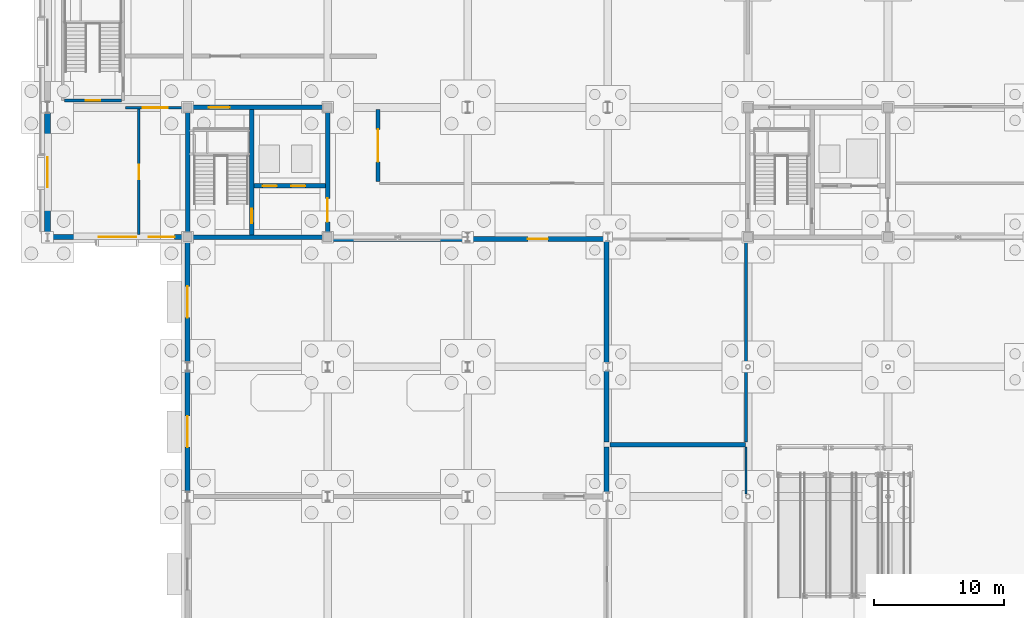
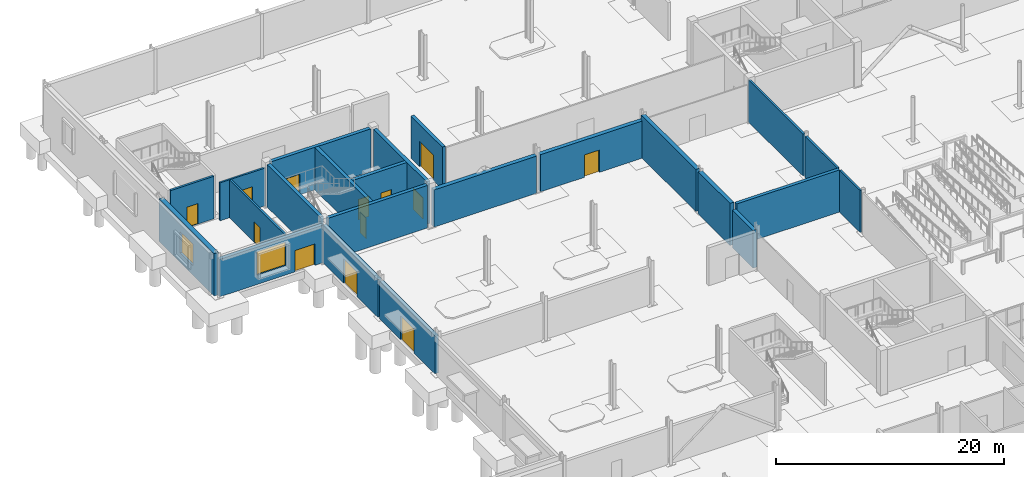
# One storey, part 55 of 73: 23 walls, 13 doors, 2 windows, 15 openings.
"""IFC4 building model written with IfcOpenShell, lengths in metres."""

import ifcopenshell
import ifcopenshell.guid

model = None  # the IFC model being written
_history = None  # IfcOwnerHistory: only IFC2X3 demands one
_inside = {}  # id of a spatial element -> (the spatial element, [elements in it])
_under = {}  # id of a project, library or spatial element -> (it, [spatial elements below it])
_declared = {}  # id of a project -> (the project, [libraries it declares])
_typed = {}  # id of a type object -> (the type object, [elements of that type])
_made_of = {}  # id of a material, layer set ... -> (it, [elements and type objects made of it])


def new_model(schema):
    """Start an empty IFC model of exactly this schema.

    Asked for "IFC4X3", IfcOpenShell would pick the latest addendum, in which some entities
    have other attributes; the version numbers below select the first issue.
    IFC2X3 requires an IfcOwnerHistory on every rooted entity: one is made here for all.
    """
    global model, _history
    if schema == "IFC4X3":
        model = ifcopenshell.file(schema_version=(4, 3, 0, 0))
    else:
        model = ifcopenshell.file(schema=schema)
    _inside.clear()
    _under.clear()
    _declared.clear()
    _typed.clear()
    _made_of.clear()
    _history = None
    if model.schema == "IFC2X3":
        org = make("IfcOrganization", Name="unknown")
        user = make(
            "IfcPersonAndOrganization",
            ThePerson=make("IfcPerson", FamilyName="unknown"),
            TheOrganization=org,
        )
        app = make(
            "IfcApplication",
            ApplicationDeveloper=org,
            Version="unknown",
            ApplicationFullName="unknown",
            ApplicationIdentifier="unknown",
        )
        _history = make(
            "IfcOwnerHistory",
            OwningUser=user,
            OwningApplication=app,
            ChangeAction="ADDED",
            CreationDate=0,
        )
    return model


def make(cls, **values):
    """One entity of the class cls with the attributes given. An attribute that is None is left unset."""
    return model.create_entity(
        cls, **{name: value for name, value in values.items() if value is not None}
    )


def rooted(cls, **values):
    """An entity with a GlobalId (a new one), such as an element, a storey or a relation."""
    return make(cls, GlobalId=ifcopenshell.guid.new(), OwnerHistory=_history, **values)


def si_unit(unit_type, name, prefix=None):
    """IfcSIUnit, for example si_unit("LENGTHUNIT", "METRE", prefix="MILLI")."""
    return make("IfcSIUnit", UnitType=unit_type, Prefix=prefix, Name=name)


def assignment(units):
    """IfcUnitAssignment: the units of a project."""
    return None if units is None else make("IfcUnitAssignment", Units=units)


def point(xyz):
    """IfcCartesianPoint."""
    return None if xyz is None else make("IfcCartesianPoint", Coordinates=xyz)


def direction(xyz):
    """IfcDirection."""
    return None if xyz is None else make("IfcDirection", DirectionRatios=xyz)


def frame(location, z_axis=None, x_axis=None):
    """IfcAxis2Placement3D, a coordinate frame: its origin and axes. An axis left out is left unset."""
    return make(
        "IfcAxis2Placement3D",
        Location=point(location),
        Axis=direction(z_axis),
        RefDirection=direction(x_axis),
    )


def frame_2d(location, x_axis=None):
    """IfcAxis2Placement2D, a coordinate frame in the plane: its origin and x axis."""
    return make(
        "IfcAxis2Placement2D", Location=point(location), RefDirection=direction(x_axis)
    )


def origin():
    """The frame at (0, 0, 0) with its axes left unset."""
    return frame((0.0, 0.0, 0.0))


def place(relative_to, where):
    """IfcLocalPlacement: puts the frame where relative to a parent placement (None: the world)."""
    return make(
        "IfcLocalPlacement", PlacementRelTo=relative_to, RelativePlacement=where
    )


def context(
    kind, dimensions, precision=None, world=None, true_north=None, identifier=None
):
    """IfcGeometricRepresentationContext, for example the 3D "Model" context."""
    return make(
        "IfcGeometricRepresentationContext",
        ContextIdentifier=identifier,
        ContextType=kind,
        CoordinateSpaceDimension=dimensions,
        Precision=precision,
        WorldCoordinateSystem=world,
        TrueNorth=true_north,
    )


def subcontext(parent, identifier, kind, view, scale=None):
    """IfcGeometricRepresentationSubContext, for example "Body" below "Model"."""
    return make(
        "IfcGeometricRepresentationSubContext",
        ContextIdentifier=identifier,
        ContextType=kind,
        ParentContext=parent,
        TargetScale=scale,
        TargetView=view,
    )


def project(units=None, contexts=None):
    """IfcProject with its units and contexts."""
    return rooted(
        "IfcProject",
        Name="project",
        RepresentationContexts=contexts,
        UnitsInContext=assignment(units),
    )


def spatial(cls, under=None, at=None, **own):
    """A site, building, storey or space (cls), placed at a placement, below another one or the project."""
    s = rooted(cls, ObjectPlacement=at, **own)
    if under is not None:
        _under.setdefault(under.id(), (under, []))[1].append(s)
    return s


def profile(cls, at=None, kind="AREA", **sizes):
    """A parametric profile (cls). Its sizes go by their IFC names, for example OverallWidth=200.0."""
    return make(cls, ProfileType=kind, Position=at, **sizes)


def rectangle(**sizes):
    """IfcRectangleProfileDef."""
    return profile("IfcRectangleProfileDef", **sizes)


def extrude(swept, where, along, depth):
    """IfcExtrudedAreaSolid: the profile swept, set in the frame where, extruded along a direction by depth."""
    return make(
        "IfcExtrudedAreaSolid",
        SweptArea=swept,
        Position=where,
        ExtrudedDirection=direction(along),
        Depth=depth,
    )


def shape(context_of_items, identifier, shape_type, items):
    """IfcShapeRepresentation: the items that make up one representation, for example the "Body"."""
    return make(
        "IfcShapeRepresentation",
        ContextOfItems=context_of_items,
        RepresentationIdentifier=identifier,
        RepresentationType=shape_type,
        Items=items,
    )


def material(Name=None, Category=None):
    """IfcMaterial."""
    return make("IfcMaterial", Name=Name, Category=Category)


def layer(
    of_material, thickness, ventilated=None, Name=None, Category=None, Priority=None
):
    """IfcMaterialLayer: one layer of a wall or slab, of a material (None: an air gap)."""
    return make(
        "IfcMaterialLayer",
        Material=of_material,
        LayerThickness=thickness,
        IsVentilated=ventilated,
        Name=Name,
        Category=Category,
        Priority=Priority,
    )


def layer_set(layers, Name=None):
    """IfcMaterialLayerSet."""
    return make("IfcMaterialLayerSet", MaterialLayers=layers, LayerSetName=Name)


def made_of(thing, what):
    """Note that an element or type object is made of a material, layer set ...; save() writes the relation."""
    if what is not None:
        _made_of.setdefault(what.id(), (what, []))[1].append(thing)
    return thing


def type_object(cls, material=None, **own):
    """A type object (cls), such as IfcWallType, which elements share."""
    return made_of(rooted(cls, **own), material)


def element(
    cls,
    number,
    at=None,
    inside=None,
    cuts=None,
    type_object=None,
    material=None,
    context=None,
    identifier="Body",
    shape_type=None,
    held_by="IfcProductDefinitionShape",
    body=None,
    shapes=None,
    **own,
):
    """One element of the class cls, such as IfcWall. Its Tag is "e" and its number.

    at: its placement. inside: the storey or other place that contains it. cuts: it is an
    opening in that element (IfcRelVoidsElement). A single representation is given by context,
    identifier, shape_type and body (its items); several are given by shapes. held_by: the class
    of the entity that holds the representations. save() writes the other relations.
    """
    e = rooted(cls, Tag="e%d" % number, ObjectPlacement=at, **own)
    if body is not None:
        shapes = [shape(context, identifier, shape_type, body)]
    if shapes is not None:
        e.Representation = make(held_by, Representations=shapes)
    if inside is not None:
        _inside.setdefault(inside.id(), (inside, []))[1].append(e)
    if cuts is not None:
        rooted(
            "IfcRelVoidsElement", RelatingBuildingElement=cuts, RelatedOpeningElement=e
        )
    if type_object is not None:
        _typed.setdefault(type_object.id(), (type_object, []))[1].append(e)
    return made_of(e, material)


def fill(opening, filler):
    """IfcRelFillsElement: the door or window that sits in an opening."""
    return rooted(
        "IfcRelFillsElement",
        RelatingOpeningElement=opening,
        RelatedBuildingElement=filler,
    )


def aggregate(whole, parts):
    """IfcRelAggregates: a whole, such as a stair, and the parts it consists of."""
    return rooted("IfcRelAggregates", RelatingObject=whole, RelatedObjects=parts)


def save(model, path):
    """Write the relations noted so far, then the file.

    IfcRelAggregates (storeys below a building ...), IfcRelContainedInSpatialStructure (elements
    in a storey), IfcRelDefinesByType, IfcRelAssociatesMaterial and IfcRelDeclares: one each for
    every whole, place, type object, material and project.
    """
    for whole, parts in _under.values():
        aggregate(whole, parts)
    for where, things in _inside.values():
        rooted(
            "IfcRelContainedInSpatialStructure",
            RelatedElements=things,
            RelatingStructure=where,
        )
    for kind, things in _typed.values():
        rooted("IfcRelDefinesByType", RelatedObjects=things, RelatingType=kind)
    for what, things in _made_of.values():
        rooted("IfcRelAssociatesMaterial", RelatedObjects=things, RelatingMaterial=what)
    for by, libraries in _declared.values():
        rooted("IfcRelDeclares", RelatingContext=by, RelatedDefinitions=libraries)
    model.write(path)


model = new_model("IFC4")

# Units and contexts
model_context = context("Model", 3, precision=1e-05, world=origin(), true_north=direction((0.0, 1.0)))
body_context = subcontext(model_context, "Body", "Model", "MODEL_VIEW")
ifc_project = project(units=[si_unit("LENGTHUNIT", "METRE"), si_unit("AREAUNIT", "SQUARE_METRE"), si_unit("VOLUMEUNIT", "CUBIC_METRE"), si_unit("PLANEANGLEUNIT", "RADIAN"), si_unit("MASSUNIT", "GRAM", prefix="KILO")], contexts=[model_context])

# Site, building, storey
site_placement = place(None, origin())
site = spatial("IfcSite", under=ifc_project, at=site_placement, CompositionType="ELEMENT")
building_placement = place(site_placement, origin())
building = spatial("IfcBuilding", under=site, at=building_placement, Name="Tasgan Crest Museum", CompositionType="ELEMENT")
storey_placement = place(building_placement, origin())
storey = spatial("IfcBuildingStorey", under=building, at=storey_placement, Name="L00", CompositionType="ELEMENT", Elevation=0.0)

# Wall
ifc_material_1 = material(Name="Concrete C40/50", Category="concrete")
ifc_layer_1 = layer(ifc_material_1, 0.35009765625, Name="WL-CORE-350")
ifc_layer_set_1 = layer_set([ifc_layer_1], Name="Concrete C40/50")
wall_type_1 = type_object("IfcWallType", Name="WL-CORE-350", PredefinedType="SHEAR", material=ifc_layer_set_1)
wall_1_placement = place(storey_placement, frame((11.14990234375, 82.0, 0.0), z_axis=(0.0, 0.0, 1.0), x_axis=(1.0, 0.0, 0.0)))
element("IfcWall", 1, at=wall_1_placement, inside=storey, type_object=wall_type_1, Name="North-West Gallery Core south shear wall L00", PredefinedType="SHEAR", context=body_context, shape_type="SweptSolid", body=[
    extrude(rectangle(XDim=10.10009765625, YDim=0.35009765625, at=frame_2d((5.050048828125, 0.0))), origin(), (0.0, 0.0, 1.0), 4.56005859375),
])

# Wall, opening, door
wall_2_placement = place(storey_placement, frame((11.14990234375, 92.0, 0.0), z_axis=(0.0, 0.0, 1.0), x_axis=(1.0, 0.0, 0.0)))
wall_2 = element("IfcWall", 2, at=wall_2_placement, inside=storey, type_object=wall_type_1, Name="North-West Gallery Core north shear wall L00", PredefinedType="SHEAR", context=body_context, shape_type="SweptSolid", body=[
    extrude(rectangle(XDim=10.10009765625, YDim=0.35009765625, at=frame_2d((5.050048828125, 0.0))), origin(), (0.0, 0.0, 1.0), 4.56005859375),
])
opening_1_placement = place(wall_2_placement, frame((1.300048828125, 0.0, 0.0)))
opening_1 = element("IfcOpeningElement", 3, at=opening_1_placement, cuts=wall_2, Name="Opening EX-NW", PredefinedType="OPENING", context=body_context, shape_type="SweptSolid", body=[
    extrude(rectangle(XDim=1.60009765625, YDim=2.199951171875, at=frame_2d((0.800048828125, 1.10009765625))), frame((0.0, 0.18505859375, 0.0), z_axis=(0.0, -1.0, 0.0), x_axis=(1.0, 0.0, 0.0)), (0.0, 0.0, 1.0), 0.3701171875),
])
ifc_material_2 = material(Name="Fire-Rated Stair Exit Door")
door_type_1 = type_object("IfcDoorType", Name="DR-FD3-1600", OperationType="NOTDEFINED", PredefinedType="DOOR", material=ifc_material_2)
door_1_placement = place(opening_1_placement, origin())
door_1 = element("IfcDoor", 4, at=door_1_placement, inside=storey, type_object=door_type_1, Name="North-West Gallery Core ground stair discharge door", OperationType="DOUBLE_DOOR_SINGLE_SWING", OverallHeight=2.199951171875, OverallWidth=1.60009765625, PredefinedType="DOOR", context=body_context, shape_type="SweptSolid", body=[
    extrude(rectangle(XDim=1.60009765625, YDim=2.199951171875, at=frame_2d((0.800048828125, 1.10009765625))), frame((0.0, 0.02490234375, 0.0), z_axis=(0.0, -1.0, 0.0), x_axis=(1.0, 0.0, 0.0)), (0.0, 0.0, 1.0), 0.050048828125),
])
fill(opening_1, door_1)

# Wall
wall_3_placement = place(storey_placement, frame((10.800048828125, 82.35009765625, 0.0), z_axis=(0.0, 0.0, 1.0), x_axis=(0.0, 1.0, 0.0)))
element("IfcWall", 5, at=wall_3_placement, inside=storey, type_object=wall_type_1, Name="North-West Gallery Core west shear wall L00", PredefinedType="SHEAR", context=body_context, shape_type="SweptSolid", body=[
    extrude(rectangle(XDim=9.2998046875, YDim=0.35009765625, at=frame_2d((4.64990234375, 0.0))), origin(), (0.0, 0.0, 1.0), 4.56005859375),
])

# Wall, opening, door
wall_4_placement = place(storey_placement, frame((21.60009765625, 82.35009765625, 0.0), z_axis=(0.0, 0.0, 1.0), x_axis=(0.0, 1.0, 0.0)))
wall_4 = element("IfcWall", 6, at=wall_4_placement, inside=storey, type_object=wall_type_1, Name="North-West Gallery Core east shear wall L00", PredefinedType="SHEAR", context=body_context, shape_type="SweptSolid", body=[
    extrude(rectangle(XDim=9.2998046875, YDim=0.35009765625, at=frame_2d((4.64990234375, 0.0))), origin(), (0.0, 0.0, 1.0), 4.56005859375),
])
opening_2_placement = place(wall_4_placement, frame((0.830078125, 0.0, 0.0)))
opening_2 = element("IfcOpeningElement", 7, at=opening_2_placement, cuts=wall_4, Name="Opening LD-NW-L00", PredefinedType="OPENING", context=body_context, shape_type="SweptSolid", body=[
    extrude(rectangle(XDim=1.800048828125, YDim=2.25, at=frame_2d((0.89990234375, 1.125))), frame((0.0, 0.18505859375, 0.0), z_axis=(0.0, -1.0, 0.0), x_axis=(1.0, 0.0, 0.0)), (0.0, 0.0, 1.0), 0.3701171875),
])
ifc_material_3 = material(Name="Fire-Rated Double Lobby Door")
door_type_2 = type_object("IfcDoorType", Name="DR-FD2-1800", OperationType="NOTDEFINED", PredefinedType="DOOR", material=ifc_material_3)
door_2_placement = place(opening_2_placement, origin())
door_2 = element("IfcDoor", 8, at=door_2_placement, inside=storey, type_object=door_type_2, Name="North-West Gallery Core lobby door L00", OperationType="DOUBLE_DOOR_SINGLE_SWING", OverallHeight=2.25, OverallWidth=1.800048828125, PredefinedType="DOOR", context=body_context, shape_type="SweptSolid", body=[
    extrude(rectangle(XDim=1.800048828125, YDim=2.25, at=frame_2d((0.89990234375, 1.125))), frame((0.0, 0.02490234375, 0.0), z_axis=(0.0, -1.0, 0.0), x_axis=(1.0, 0.0, 0.0)), (0.0, 0.0, 1.0), 0.050048828125),
])
fill(opening_2, door_2)

wall_5_placement = place(storey_placement, frame((15.75, 82.175048828125, 0.0), z_axis=(0.0, 0.0, 1.0), x_axis=(0.0, 1.0, 0.0)))
wall_5 = element("IfcWall", 9, at=wall_5_placement, inside=storey, type_object=wall_type_1, Name="North-West Gallery Core stair-lobby shear wall L00", PredefinedType="SHEAR", context=body_context, shape_type="SweptSolid", body=[
    extrude(rectangle(XDim=9.64990234375, YDim=0.35009765625, at=frame_2d((4.824951171875, 0.0))), origin(), (0.0, 0.0, 1.0), 4.56005859375),
])
opening_3_placement = place(wall_5_placement, frame((0.89990234375, 0.0, 0.0)))
opening_3 = element("IfcOpeningElement", 10, at=opening_3_placement, cuts=wall_5, Name="Opening SD-NW-L00", PredefinedType="OPENING", context=body_context, shape_type="SweptSolid", body=[
    extrude(rectangle(XDim=1.10009765625, YDim=2.199951171875, at=frame_2d((0.550048828125, 1.10009765625))), frame((0.0, 0.18505859375, 0.0), z_axis=(0.0, -1.0, 0.0), x_axis=(1.0, 0.0, 0.0)), (0.0, 0.0, 1.0), 0.3701171875),
])
ifc_material_4 = material(Name="Fire-Rated Steel Door", Category="steel")
door_type_3 = type_object("IfcDoorType", Name="DR-FD1-1100", OperationType="NOTDEFINED", PredefinedType="DOOR", material=ifc_material_4)
door_3_placement = place(opening_3_placement, origin())
door_3 = element("IfcDoor", 11, at=door_3_placement, inside=storey, type_object=door_type_3, Name="North-West Gallery Core stair door L00", OperationType="SINGLE_SWING_LEFT", OverallHeight=2.199951171875, OverallWidth=1.10009765625, PredefinedType="DOOR", context=body_context, shape_type="SweptSolid", body=[
    extrude(rectangle(XDim=1.10009765625, YDim=2.199951171875, at=frame_2d((0.550048828125, 1.10009765625))), frame((0.0, 0.02490234375, 0.0), z_axis=(0.0, -1.0, 0.0), x_axis=(1.0, 0.0, 0.0)), (0.0, 0.0, 1.0), 0.050048828125),
])
fill(opening_3, door_3)

# Wall, openings, doors
wall_6_placement = place(storey_placement, frame((15.929931640625, 85.949951171875, 0.0), z_axis=(0.0, 0.0, 1.0), x_axis=(1.0, 0.0, 0.0)))
wall_6 = element("IfcWall", 12, at=wall_6_placement, inside=storey, type_object=wall_type_1, Name="North-West Gallery Core lift-shaft wall L00", PredefinedType="SHEAR", context=body_context, shape_type="SweptSolid", body=[
    extrude(rectangle(XDim=5.489990234375, YDim=0.35009765625, at=frame_2d((2.7451171875, 0.0))), origin(), (0.0, 0.0, 1.0), 4.56005859375),
])
opening_4_placement = place(wall_6_placement, frame((0.64990234375, 0.0, 0.0)))
opening_4 = element("IfcOpeningElement", 13, at=opening_4_placement, cuts=wall_6, Name="Opening LD-FL1", PredefinedType="OPENING", context=body_context, shape_type="SweptSolid", body=[
    extrude(rectangle(XDim=1.10009765625, YDim=2.199951171875, at=frame_2d((0.550048828125, 1.10009765625))), frame((0.0, 0.18505859375, 0.0), z_axis=(0.0, -1.0, 0.0), x_axis=(1.0, 0.0, 0.0)), (0.0, 0.0, 1.0), 0.3701171875),
])
opening_5_placement = place(wall_6_placement, frame((2.85009765625, 0.0, 0.0)))
opening_5 = element("IfcOpeningElement", 14, at=opening_5_placement, cuts=wall_6, Name="Opening LD-PL1", PredefinedType="OPENING", context=body_context, shape_type="SweptSolid", body=[
    extrude(rectangle(XDim=1.10009765625, YDim=2.199951171875, at=frame_2d((0.550048828125, 1.10009765625))), frame((0.0, 0.18505859375, 0.0), z_axis=(0.0, -1.0, 0.0), x_axis=(1.0, 0.0, 0.0)), (0.0, 0.0, 1.0), 0.3701171875),
])
ifc_material_5 = material(Name="Stainless Steel Firefighting Lift Landing Door", Category="steel")
door_type_4 = type_object("IfcDoorType", Name="LD-FF-1100", OperationType="NOTDEFINED", PredefinedType="DOOR", material=ifc_material_5)
door_4_placement = place(opening_4_placement, origin())
door_4 = element("IfcDoor", 15, at=door_4_placement, inside=storey, type_object=door_type_4, Name="Firefighting lift landing door FL1 L00", OperationType="DOUBLE_DOOR_SLIDING", OverallHeight=2.199951171875, OverallWidth=1.10009765625, PredefinedType="DOOR", context=body_context, shape_type="SweptSolid", body=[
    extrude(rectangle(XDim=1.10009765625, YDim=2.199951171875, at=frame_2d((0.550048828125, 1.10009765625))), frame((0.0, 0.02490234375, 0.0), z_axis=(0.0, -1.0, 0.0), x_axis=(1.0, 0.0, 0.0)), (0.0, 0.0, 1.0), 0.050048828125),
])
fill(opening_4, door_4)
ifc_material_6 = material(Name="Brushed Bronze Passenger Lift Landing Door")
door_type_5 = type_object("IfcDoorType", Name="LD-PAX-1100", OperationType="NOTDEFINED", PredefinedType="DOOR", material=ifc_material_6)
door_5_placement = place(opening_5_placement, origin())
door_5 = element("IfcDoor", 16, at=door_5_placement, inside=storey, type_object=door_type_5, Name="Lift landing sliding door PL1 L00", OperationType="DOUBLE_DOOR_SLIDING", OverallHeight=2.199951171875, OverallWidth=1.10009765625, PredefinedType="DOOR", context=body_context, shape_type="SweptSolid", body=[
    extrude(rectangle(XDim=1.10009765625, YDim=2.199951171875, at=frame_2d((0.550048828125, 1.10009765625))), frame((0.0, 0.02490234375, 0.0), z_axis=(0.0, -1.0, 0.0), x_axis=(1.0, 0.0, 0.0)), (0.0, 0.0, 1.0), 0.050048828125),
])
fill(opening_5, door_5)

# Wall, openings, door, window
ifc_material_7 = material(Name="Precast concrete C40/50", Category="concrete")
ifc_layer_2 = layer(ifc_material_7, 0.3798828125, Name="WL-EXT-CANT-380")
ifc_layer_set_2 = layer_set([ifc_layer_2], Name="Precast concrete C40/50")
wall_type_2 = type_object("IfcWallType", Name="WL-EXT-CANT-380", PredefinedType="STANDARD", material=ifc_layer_set_2)
wall_7_placement = place(storey_placement, frame((0.14501953125, 82.0, 0.0), z_axis=(0.0, 0.0, 1.0), x_axis=(1.0, 0.0, 0.0)))
wall_7 = element("IfcWall", 17, at=wall_7_placement, inside=storey, type_object=wall_type_2, Name="Exterior wall L00 (5.4,82.0)", PredefinedType="STANDARD", context=body_context, shape_type="SweptSolid", body=[
    extrude(rectangle(XDim=10.510009765625, YDim=0.3798828125, at=frame_2d((5.2548828125, 0.0))), origin(), (0.0, 0.0, 1.0), 4.009033203125),
])
opening_6_placement = place(wall_7_placement, frame((3.804931640625, 0.0, 1.0)))
opening_6 = element("IfcOpeningElement", 18, at=opening_6_placement, cuts=wall_7, Name="Opening W31", PredefinedType="OPENING", context=body_context, shape_type="SweptSolid", body=[
    extrude(rectangle(XDim=2.89990234375, YDim=2.5, at=frame_2d((1.449951171875, 1.25))), frame((0.0, 0.199951171875, 0.0), z_axis=(0.0, -1.0, 0.0), x_axis=(1.0, 0.0, 0.0)), (0.0, 0.0, 1.0), 0.39990234375),
])
opening_7_placement = place(wall_7_placement, frame((7.655029296875, 0.0, 0.0)))
opening_7 = element("IfcOpeningElement", 19, at=opening_7_placement, cuts=wall_7, Name="Opening ED021", PredefinedType="OPENING", context=body_context, shape_type="SweptSolid", body=[
    extrude(rectangle(XDim=2.0, YDim=2.300048828125, at=frame_2d((1.0, 1.14990234375))), frame((0.0, 0.199951171875, 0.0), z_axis=(0.0, -1.0, 0.0), x_axis=(1.0, 0.0, 0.0)), (0.0, 0.0, 1.0), 0.39990234375),
])
ifc_material_8 = material(Name="Thermally Broken Insulated Steel and Bronze", Category="steel")
door_type_6 = type_object("IfcDoorType", Name="DR-EXT-EXIT-2000", OperationType="NOTDEFINED", PredefinedType="DOOR", material=ifc_material_8)
door_6_placement = place(opening_7_placement, frame((2.0, 0.0, 0.0), z_axis=(0.0, 0.0, 1.0), x_axis=(-1.0, 0.0, 0.0)))
door_6 = element("IfcDoor", 20, at=door_6_placement, inside=storey, type_object=door_type_6, Name="North-West Exit Passage exit door ED021", OperationType="DOUBLE_DOOR_SINGLE_SWING", OverallHeight=2.300048828125, OverallWidth=2.0, PredefinedType="DOOR", context=body_context, shape_type="SweptSolid", body=[
    extrude(rectangle(XDim=2.0, YDim=2.300048828125, at=frame_2d((1.0, 1.14990234375))), frame((0.0, 0.02490234375, 0.0), z_axis=(0.0, -1.0, 0.0), x_axis=(1.0, 0.0, 0.0)), (0.0, 0.0, 1.0), 0.050048828125),
])
fill(opening_7, door_6)
ifc_material_9 = material(Name="Thermally Broken Triple-Glazed Aluminium", Category="aluminium")
window_type_1 = type_object("IfcWindowType", Name="WN-GAL-2900X2500", PartitioningType="SINGLE_PANEL", PredefinedType="WINDOW", material=ifc_material_9)
window_1_placement = place(opening_6_placement, origin())
window_1 = element("IfcWindow", 21, at=window_1_placement, inside=storey, type_object=window_type_1, Name="Window W31 L00-019", OverallHeight=2.5, OverallWidth=2.89990234375, PartitioningType="SINGLE_PANEL", PredefinedType="WINDOW", context=body_context, shape_type="SweptSolid", body=[
    extrude(rectangle(XDim=2.89990234375, YDim=2.5, at=frame_2d((1.449951171875, 1.25))), frame((0.0, 0.030029296875, 0.0), z_axis=(0.0, -1.0, 0.0), x_axis=(1.0, 0.0, 0.0)), (0.0, 0.0, 1.0), 0.06005859375),
])
fill(opening_6, window_1)

# Wall, opening, door
wall_8_placement = place(storey_placement, frame((10.800048828125, 81.85498046875, 0.0), z_axis=(0.0, 0.0, 1.0), x_axis=(0.0, -1.0, 0.0)))
wall_8 = element("IfcWall", 22, at=wall_8_placement, inside=storey, type_object=wall_type_2, Name="Exterior wall L00 (10.8,77.0)", PredefinedType="STANDARD", context=body_context, shape_type="SweptSolid", body=[
    extrude(rectangle(XDim=9.7099609375, YDim=0.3798828125, at=frame_2d((4.85498046875, 0.0))), origin(), (0.0, 0.0, 1.0), 4.0400390625),
])
opening_8_placement = place(wall_8_placement, frame((3.655029296875, 0.0, 0.0)))
opening_8 = element("IfcOpeningElement", 23, at=opening_8_placement, cuts=wall_8, Name="Opening ED012", PredefinedType="OPENING", context=body_context, shape_type="SweptSolid", body=[
    extrude(rectangle(XDim=2.39990234375, YDim=2.60009765625, at=frame_2d((1.199951171875, 1.300048828125))), frame((0.0, 0.199951171875, 0.0), z_axis=(0.0, -1.0, 0.0), x_axis=(1.0, 0.0, 0.0)), (0.0, 0.0, 1.0), 0.39990234375),
])
ifc_material_10 = material(Name="Thermally Broken Insulated Steel and Bronze", Category="steel")
door_type_7 = type_object("IfcDoorType", Name="DR-EXT-ENTRY-2400", OperationType="NOTDEFINED", PredefinedType="DOOR", material=ifc_material_10)
door_7_placement = place(opening_8_placement, frame((2.39990234375, 0.0, 0.0), z_axis=(0.0, 0.0, 1.0), x_axis=(-1.0, 0.0, 0.0)))
door_7 = element("IfcDoor", 24, at=door_7_placement, inside=storey, type_object=door_type_7, Name="West sculpture court north exit door ED012", OperationType="DOUBLE_DOOR_SINGLE_SWING", OverallHeight=2.60009765625, OverallWidth=2.39990234375, PredefinedType="DOOR", context=body_context, shape_type="SweptSolid", body=[
    extrude(rectangle(XDim=2.39990234375, YDim=2.60009765625, at=frame_2d((1.199951171875, 1.300048828125))), frame((0.0, 0.02490234375, 0.0), z_axis=(0.0, -1.0, 0.0), x_axis=(1.0, 0.0, 0.0)), (0.0, 0.0, 1.0), 0.050048828125),
])
fill(opening_8, door_7)

wall_9_placement = place(storey_placement, frame((10.800048828125, 71.85498046875, 0.0), z_axis=(0.0, 0.0, 1.0), x_axis=(0.0, -1.0, 0.0)))
wall_9 = element("IfcWall", 25, at=wall_9_placement, inside=storey, type_object=wall_type_2, Name="Exterior wall L00 (10.8,67.0)", PredefinedType="STANDARD", context=body_context, shape_type="SweptSolid", body=[
    extrude(rectangle(XDim=9.7099609375, YDim=0.3798828125, at=frame_2d((4.85498046875, 0.0))), origin(), (0.0, 0.0, 1.0), 4.0400390625),
])
opening_9_placement = place(wall_9_placement, frame((3.655029296875, 0.0, 0.0)))
opening_9 = element("IfcOpeningElement", 26, at=opening_9_placement, cuts=wall_9, Name="Opening ED013", PredefinedType="OPENING", context=body_context, shape_type="SweptSolid", body=[
    extrude(rectangle(XDim=2.39990234375, YDim=2.60009765625, at=frame_2d((1.199951171875, 1.300048828125))), frame((0.0, 0.199951171875, 0.0), z_axis=(0.0, -1.0, 0.0), x_axis=(1.0, 0.0, 0.0)), (0.0, 0.0, 1.0), 0.39990234375),
])
door_8_placement = place(opening_9_placement, frame((2.39990234375, 0.0, 0.0), z_axis=(0.0, 0.0, 1.0), x_axis=(-1.0, 0.0, 0.0)))
door_8 = element("IfcDoor", 27, at=door_8_placement, inside=storey, type_object=door_type_7, Name="West sculpture court north exit door ED013", OperationType="DOUBLE_DOOR_SINGLE_SWING", OverallHeight=2.60009765625, OverallWidth=2.39990234375, PredefinedType="DOOR", context=body_context, shape_type="SweptSolid", body=[
    extrude(rectangle(XDim=2.39990234375, YDim=2.60009765625, at=frame_2d((1.199951171875, 1.300048828125))), frame((0.0, 0.02490234375, 0.0), z_axis=(0.0, -1.0, 0.0), x_axis=(1.0, 0.0, 0.0)), (0.0, 0.0, 1.0), 0.050048828125),
])
fill(opening_9, door_8)

# Wall, opening, window
ifc_material_11 = material(Name="Precast concrete C40/50", Category="concrete")
ifc_layer_3 = layer(ifc_material_11, 0.449951171875, Name="WL-EXT-LIME-450")
ifc_layer_set_3 = layer_set([ifc_layer_3], Name="Precast concrete C40/50")
wall_type_3 = type_object("IfcWallType", Name="WL-EXT-LIME-450", PredefinedType="STANDARD", material=ifc_layer_set_3)
wall_10_placement = place(storey_placement, frame((0.0, 91.85498046875, 0.0), z_axis=(0.0, 0.0, 1.0), x_axis=(0.0, -1.0, 0.0)))
wall_10 = element("IfcWall", 28, at=wall_10_placement, inside=storey, type_object=wall_type_3, Name="Exterior wall L00 (0.0,87.0)", PredefinedType="STANDARD", context=body_context, shape_type="SweptSolid", body=[
    extrude(rectangle(XDim=9.7099609375, YDim=0.449951171875, at=frame_2d((4.85498046875, 0.0))), origin(), (0.0, 0.0, 1.0), 4.56005859375),
])
opening_10_placement = place(wall_10_placement, frame((3.705078125, 0.0, 1.0)))
opening_10 = element("IfcOpeningElement", 29, at=opening_10_placement, cuts=wall_10, Name="Opening W30", PredefinedType="OPENING", context=body_context, shape_type="SweptSolid", body=[
    extrude(rectangle(XDim=2.300048828125, YDim=2.300048828125, at=frame_2d((1.14990234375, 1.14990234375))), frame((0.0, 0.23486328125, 0.0), z_axis=(0.0, -1.0, 0.0), x_axis=(1.0, 0.0, 0.0)), (0.0, 0.0, 1.0), 0.469970703125),
])
ifc_material_12 = material(Name="Thermally Broken Triple-Glazed Aluminium", Category="aluminium")
window_type_2 = type_object("IfcWindowType", Name="WN-GAL-2300X2300", PartitioningType="SINGLE_PANEL", PredefinedType="WINDOW", material=ifc_material_12)
window_2_placement = place(opening_10_placement, origin())
window_2 = element("IfcWindow", 30, at=window_2_placement, inside=storey, type_object=window_type_2, Name="Window W30 L00-018", OverallHeight=2.300048828125, OverallWidth=2.300048828125, PartitioningType="SINGLE_PANEL", PredefinedType="WINDOW", context=body_context, shape_type="SweptSolid", body=[
    extrude(rectangle(XDim=2.300048828125, YDim=2.300048828125, at=frame_2d((1.14990234375, 1.14990234375))), frame((0.0, 0.030029296875, 0.0), z_axis=(0.0, -1.0, 0.0), x_axis=(1.0, 0.0, 0.0)), (0.0, 0.0, 1.0), 0.06005859375),
])
fill(opening_10, window_2)

# Wall, opening, door
ifc_material_13 = material(Name="Concrete C40/50", Category="concrete")
ifc_layer_4 = layer(ifc_material_13, 0.199951171875, Name="WL-FIRE-200")
ifc_layer_set_4 = layer_set([ifc_layer_4], Name="Concrete C40/50")
wall_type_4 = type_object("IfcWallType", Name="WL-FIRE-200", PredefinedType="SOLIDWALL", material=ifc_layer_set_4)
wall_11_placement = place(storey_placement, frame((7.050048828125, 82.18994140625, 0.0), z_axis=(0.0, 0.0, 1.0), x_axis=(0.0, 1.0, 0.0)))
wall_11 = element("IfcWall", 31, at=wall_11_placement, inside=storey, type_object=wall_type_4, Name="Partition Cretaceous Basin Gallery / North-West Exit Passage L00", PredefinedType="SOLIDWALL", context=body_context, shape_type="SweptSolid", body=[
    extrude(rectangle(XDim=9.68994140625, YDim=0.199951171875, at=frame_2d((4.844970703125, 0.0))), origin(), (0.0, 0.0, 1.0), 4.069091796875),
])
opening_11_placement = place(wall_11_placement, frame((4.2900390625, 0.0, 0.0)))
opening_11 = element("IfcOpeningElement", 32, at=opening_11_placement, cuts=wall_11, Name="Opening D104", PredefinedType="OPENING", context=body_context, shape_type="SweptSolid", body=[
    extrude(rectangle(XDim=1.10009765625, YDim=2.199951171875, at=frame_2d((0.550048828125, 1.10009765625))), frame((0.0, 0.10986328125, 0.0), z_axis=(0.0, -1.0, 0.0), x_axis=(1.0, 0.0, 0.0)), (0.0, 0.0, 1.0), 0.219970703125),
])
door_9_placement = place(opening_11_placement, frame((1.10009765625, 0.0, 0.0), z_axis=(0.0, 0.0, 1.0), x_axis=(-1.0, 0.0, 0.0)))
door_9 = element("IfcDoor", 33, at=door_9_placement, inside=storey, type_object=door_type_3, Name="Cretaceous Basin Gallery to North-West Exit Passage door D104", OperationType="SINGLE_SWING_LEFT", OverallHeight=2.199951171875, OverallWidth=1.10009765625, PredefinedType="DOOR", context=body_context, shape_type="SweptSolid", body=[
    extrude(rectangle(XDim=1.10009765625, YDim=2.199951171875, at=frame_2d((0.550048828125, 1.10009765625))), frame((0.0, 0.02490234375, 0.0), z_axis=(0.0, -1.0, 0.0), x_axis=(1.0, 0.0, 0.0)), (0.0, 0.0, 1.0), 0.050048828125),
])
fill(opening_11, door_9)

# Wall
ifc_material_14 = material(Name="Gypsum Acoustic Museum Partition")
ifc_layer_5 = layer(ifc_material_14, 0.169921875, Name="WL-SCH-04")
ifc_layer_set_5 = layer_set([ifc_layer_5], Name="Gypsum Acoustic Museum Partition")
wall_type_5 = type_object("IfcWallType", Name="WL-SCH-04", PredefinedType="PARTITIONING", material=ifc_layer_set_5)
wall_12_placement = place(storey_placement, frame((53.860107421875, 62.199951171875, 0.0), z_axis=(0.0, 0.0, 1.0), x_axis=(0.0, 1.0, 0.0)))
element("IfcWall", 34, at=wall_12_placement, inside=storey, type_object=wall_type_5, Name="Partition Youth Education Studio / Winter-Garden Atrium Concourse L00", PredefinedType="PARTITIONING", context=body_context, shape_type="SweptSolid", body=[
    extrude(rectangle(XDim=3.60009765625, YDim=0.169921875, at=frame_2d((1.800048828125, 0.0))), origin(), (0.0, 0.0, 1.0), 4.52001953125),
])

# Wall, opening, door
ifc_material_15 = material(Name="Gypsum Acoustic Museum Partition")
ifc_layer_6 = layer(ifc_material_15, 0.18994140625, Name="WL-SCH-05")
ifc_layer_set_6 = layer_set([ifc_layer_6], Name="Gypsum Acoustic Museum Partition")
wall_type_6 = type_object("IfcWallType", Name="WL-SCH-05", PredefinedType="PARTITIONING", material=ifc_layer_set_6)
wall_13_placement = place(storey_placement, frame((6.0, 91.97509765625, 0.0), z_axis=(0.0, 0.0, 1.0), x_axis=(1.0, 0.0, 0.0)))
wall_13 = element("IfcWall", 35, at=wall_13_placement, inside=storey, type_object=wall_type_6, Name="Partition Cretaceous Basin Gallery / L00 North-West Stair Link Corridor L00", PredefinedType="PARTITIONING", context=body_context, shape_type="SweptSolid", body=[
    extrude(rectangle(XDim=4.6201171875, YDim=0.18994140625, at=frame_2d((2.31005859375, 0.0))), origin(), (0.0, 0.0, 1.0), 4.069091796875),
])
opening_12_placement = place(wall_13_placement, frame((1.3349609375, 0.0, 0.0)))
opening_12 = element("IfcOpeningElement", 36, at=opening_12_placement, cuts=wall_13, Name="Opening D014", PredefinedType="OPENING", context=body_context, shape_type="SweptSolid", body=[
    extrude(rectangle(XDim=1.949951171875, YDim=2.5, at=frame_2d((0.97509765625, 1.25))), frame((0.0, 0.10498046875, 0.0), z_axis=(0.0, -1.0, 0.0), x_axis=(1.0, 0.0, 0.0)), (0.0, 0.0, 1.0), 0.2099609375),
])
ifc_material_16 = material(Name="Oak and Brushed Bronze Acoustic Door")
door_type_8 = type_object("IfcDoorType", Name="DR-SCH-14", OperationType="NOTDEFINED", PredefinedType="DOOR", material=ifc_material_16)
door_10_placement = place(opening_12_placement, origin())
door_10 = element("IfcDoor", 37, at=door_10_placement, inside=storey, type_object=door_type_8, Name="Cretaceous Basin Gallery door D014", OperationType="DOUBLE_DOOR_SINGLE_SWING", OverallHeight=2.5, OverallWidth=1.949951171875, PredefinedType="DOOR", context=body_context, shape_type="SweptSolid", body=[
    extrude(rectangle(XDim=1.949951171875, YDim=2.5, at=frame_2d((0.97509765625, 1.25))), frame((0.0, 0.02490234375, 0.0), z_axis=(0.0, -1.0, 0.0), x_axis=(1.0, 0.0, 0.0)), (0.0, 0.0, 1.0), 0.050048828125),
])
fill(opening_12, door_10)

# Walls
ifc_material_17 = material(Name="Gypsum Acoustic Museum Partition")
ifc_layer_7 = layer(ifc_material_17, 0.2099609375, Name="WL-SCH-06")
ifc_layer_set_7 = layer_set([ifc_layer_7], Name="Gypsum Acoustic Museum Partition")
wall_type_7 = type_object("IfcWallType", Name="WL-SCH-06", PredefinedType="PARTITIONING", material=ifc_layer_set_7)
wall_14_placement = place(storey_placement, frame((53.860107421875, 66.199951171875, 0.0), z_axis=(0.0, 0.0, 1.0), x_axis=(0.0, 1.0, 0.0)))
element("IfcWall", 38, at=wall_14_placement, inside=storey, type_object=wall_type_7, Name="Partition Public Seminar Room / Winter-Garden Atrium Concourse L00", PredefinedType="PARTITIONING", context=body_context, shape_type="SweptSolid", body=[
    extrude(rectangle(XDim=5.60009765625, YDim=0.2099609375, at=frame_2d((2.800048828125, 0.0))), origin(), (0.0, 0.0, 1.0), 4.52001953125),
])
wall_15_placement = place(storey_placement, frame((53.860107421875, 72.199951171875, 0.0), z_axis=(0.0, 0.0, 1.0), x_axis=(0.0, 1.0, 0.0)))
element("IfcWall", 39, at=wall_15_placement, inside=storey, type_object=wall_type_7, Name="Partition Public Seminar Room / Winter-Garden Atrium Concourse L00", PredefinedType="PARTITIONING", context=body_context, shape_type="SweptSolid", body=[
    extrude(rectangle(XDim=9.6201171875, YDim=0.2099609375, at=frame_2d((4.81005859375, 0.0))), origin(), (0.0, 0.0, 1.0), 4.52001953125),
])

# Wall, opening, door
ifc_material_18 = material(Name="Gypsum Acoustic Museum Partition")
ifc_layer_8 = layer(ifc_material_18, 0.330078125, Name="WL-SCH-11")
ifc_layer_set_8 = layer_set([ifc_layer_8], Name="Gypsum Acoustic Museum Partition")
wall_type_8 = type_object("IfcWallType", Name="WL-SCH-11", PredefinedType="PARTITIONING", material=ifc_layer_set_8)
wall_16_placement = place(storey_placement, frame((25.47509765625, 86.300048828125, 0.0), z_axis=(0.0, 0.0, 1.0), x_axis=(0.0, 1.0, 0.0)))
wall_16 = element("IfcWall", 40, at=wall_16_placement, inside=storey, type_object=wall_type_8, Name="Partition Steppe Mineral Display Gallery / L00 West Core Link Corridor L00", PredefinedType="PARTITIONING", context=body_context, shape_type="SweptSolid", body=[
    extrude(rectangle(XDim=5.52001953125, YDim=0.330078125, at=frame_2d((2.760009765625, 0.0))), origin(), (0.0, 0.0, 1.0), 4.52001953125),
])
opening_13_placement = place(wall_16_placement, frame((1.510009765625, 0.0, 0.0)))
opening_13 = element("IfcOpeningElement", 41, at=opening_13_placement, cuts=wall_16, Name="Opening D018", PredefinedType="OPENING", context=body_context, shape_type="SweptSolid", body=[
    extrude(rectangle(XDim=2.5, YDim=2.75, at=frame_2d((1.25, 1.375))), frame((0.0, 0.175048828125, 0.0), z_axis=(0.0, -1.0, 0.0), x_axis=(1.0, 0.0, 0.0)), (0.0, 0.0, 1.0), 0.35009765625),
])
ifc_material_19 = material(Name="Oak and Brushed Bronze Acoustic Door")
door_type_9 = type_object("IfcDoorType", Name="DR-SCH-18", OperationType="NOTDEFINED", PredefinedType="DOOR", material=ifc_material_19)
door_11_placement = place(opening_13_placement, origin())
door_11 = element("IfcDoor", 42, at=door_11_placement, inside=storey, type_object=door_type_9, Name="Steppe Mineral Display Gallery door D018", OperationType="DOUBLE_DOOR_SINGLE_SWING", OverallHeight=2.75, OverallWidth=2.5, PredefinedType="DOOR", context=body_context, shape_type="SweptSolid", body=[
    extrude(rectangle(XDim=2.5, YDim=2.75, at=frame_2d((1.25, 1.375))), frame((0.0, 0.02490234375, 0.0), z_axis=(0.0, -1.0, 0.0), x_axis=(1.0, 0.0, 0.0)), (0.0, 0.0, 1.0), 0.050048828125),
])
fill(opening_13, door_11)

# Walls
wall_17_placement = place(storey_placement, frame((43.3798828125, 66.0, 0.0), z_axis=(0.0, 0.0, 1.0), x_axis=(1.0, 0.0, 0.0)))
element("IfcWall", 43, at=wall_17_placement, inside=storey, type_object=wall_type_8, Name="Partition Youth Education Studio / Public Seminar Room L00", PredefinedType="PARTITIONING", context=body_context, shape_type="SweptSolid", body=[
    extrude(rectangle(XDim=10.440185546875, YDim=0.330078125, at=frame_2d((5.22021484375, 0.0))), origin(), (0.0, 0.0, 1.0), 4.52001953125),
])
ifc_material_20 = material(Name="Gypsum Acoustic Museum Partition")
ifc_layer_9 = layer(ifc_material_20, 0.389892578125, Name="WL-SCH-13")
ifc_layer_set_9 = layer_set([ifc_layer_9], Name="Gypsum Acoustic Museum Partition")
wall_type_9 = type_object("IfcWallType", Name="WL-SCH-13", PredefinedType="PARTITIONING", material=ifc_layer_set_9)
wall_18_placement = place(storey_placement, frame((43.10009765625, 62.179931640625, 0.0), z_axis=(0.0, 0.0, 1.0), x_axis=(0.0, 1.0, 0.0)))
element("IfcWall", 44, at=wall_18_placement, inside=storey, type_object=wall_type_9, Name="Partition Steppe Heritage Gallery / Youth Education Studio L00", PredefinedType="PARTITIONING", context=body_context, shape_type="SweptSolid", body=[
    extrude(rectangle(XDim=3.6201171875, YDim=0.389892578125, at=frame_2d((1.81005859375, 0.0))), origin(), (0.0, 0.0, 1.0), 4.0400390625),
])
ifc_material_21 = material(Name="Gypsum Acoustic Museum Partition")
ifc_layer_10 = layer(ifc_material_21, 0.409912109375, Name="WL-SCH-14")
ifc_layer_set_10 = layer_set([ifc_layer_10], Name="Gypsum Acoustic Museum Partition")
wall_type_10 = type_object("IfcWallType", Name="WL-SCH-14", PredefinedType="PARTITIONING", material=ifc_layer_set_10)
wall_19_placement = place(storey_placement, frame((21.780029296875, 81.85009765625, 0.0), z_axis=(0.0, 0.0, 1.0), x_axis=(1.0, 0.0, 0.0)))
element("IfcWall", 45, at=wall_19_placement, inside=storey, type_object=wall_type_10, Name="Partition Steppe Heritage Gallery / North Gallery Spine Corridor L00", PredefinedType="PARTITIONING", context=body_context, shape_type="SweptSolid", body=[
    extrude(rectangle(XDim=10.419921875, YDim=0.409912109375, at=frame_2d((5.2099609375, 0.0))), origin(), (0.0, 0.0, 1.0), 3.989013671875),
])

# Wall, opening, door
wall_20_placement = place(storey_placement, frame((32.60009765625, 81.85009765625, 0.0), z_axis=(0.0, 0.0, 1.0), x_axis=(1.0, 0.0, 0.0)))
wall_20 = element("IfcWall", 46, at=wall_20_placement, inside=storey, type_object=wall_type_10, Name="Partition Steppe Heritage Gallery / North Gallery Spine Corridor L00", PredefinedType="PARTITIONING", context=body_context, shape_type="SweptSolid", body=[
    extrude(rectangle(XDim=10.419921875, YDim=0.409912109375, at=frame_2d((5.2099609375, 0.0))), origin(), (0.0, 0.0, 1.0), 3.989013671875),
])
opening_14_placement = place(wall_20_placement, frame((4.43505859375, 0.0, 0.0)))
opening_14 = element("IfcOpeningElement", 47, at=opening_14_placement, cuts=wall_20, Name="Opening D010", PredefinedType="OPENING", context=body_context, shape_type="SweptSolid", body=[
    extrude(rectangle(XDim=1.550048828125, YDim=2.39990234375, at=frame_2d((0.77490234375, 1.199951171875))), frame((0.0, 0.21484375, 0.0), z_axis=(0.0, -1.0, 0.0), x_axis=(1.0, 0.0, 0.0)), (0.0, 0.0, 1.0), 0.429931640625),
])
ifc_material_22 = material(Name="Oak and Brushed Bronze Acoustic Door")
door_type_10 = type_object("IfcDoorType", Name="DR-SCH-10", OperationType="NOTDEFINED", PredefinedType="DOOR", material=ifc_material_22)
door_12_placement = place(opening_14_placement, origin())
door_12 = element("IfcDoor", 48, at=door_12_placement, inside=storey, type_object=door_type_10, Name="Steppe Heritage Gallery door D010", OperationType="SINGLE_SWING_LEFT", OverallHeight=2.39990234375, OverallWidth=1.550048828125, PredefinedType="DOOR", context=body_context, shape_type="SweptSolid", body=[
    extrude(rectangle(XDim=1.550048828125, YDim=2.39990234375, at=frame_2d((0.77490234375, 1.199951171875))), frame((0.0, 0.02490234375, 0.0), z_axis=(0.0, -1.0, 0.0), x_axis=(1.0, 0.0, 0.0)), (0.0, 0.0, 1.0), 0.050048828125),
])
fill(opening_14, door_12)

# Walls
wall_21_placement = place(storey_placement, frame((43.10009765625, 66.199951171875, 0.0), z_axis=(0.0, 0.0, 1.0), x_axis=(0.0, 1.0, 0.0)))
element("IfcWall", 49, at=wall_21_placement, inside=storey, type_object=wall_type_10, Name="Partition Steppe Heritage Gallery / Public Seminar Room L00", PredefinedType="PARTITIONING", context=body_context, shape_type="SweptSolid", body=[
    extrude(rectangle(XDim=5.60009765625, YDim=0.409912109375, at=frame_2d((2.800048828125, 0.0))), origin(), (0.0, 0.0, 1.0), 4.52001953125),
])
wall_22_placement = place(storey_placement, frame((43.10009765625, 72.199951171875, 0.0), z_axis=(0.0, 0.0, 1.0), x_axis=(0.0, 1.0, 0.0)))
element("IfcWall", 50, at=wall_22_placement, inside=storey, type_object=wall_type_10, Name="Partition Steppe Heritage Gallery / Public Seminar Room L00", PredefinedType="PARTITIONING", context=body_context, shape_type="SweptSolid", body=[
    extrude(rectangle(XDim=9.6201171875, YDim=0.409912109375, at=frame_2d((4.81005859375, 0.0))), origin(), (0.0, 0.0, 1.0), 4.52001953125),
])

# Wall, opening, door
ifc_material_23 = material(Name="Concrete C40/50", Category="concrete")
ifc_layer_11 = layer(ifc_material_23, 0.219970703125, Name="WL-SHAFT-220")
ifc_layer_set_11 = layer_set([ifc_layer_11], Name="Concrete C40/50")
wall_type_11 = type_object("IfcWallType", Name="WL-SHAFT-220", PredefinedType="SHEAR", material=ifc_layer_set_11)
wall_23_placement = place(storey_placement, frame((1.300048828125, 92.530029296875, 0.0), z_axis=(0.0, 0.0, 1.0), x_axis=(1.0, 0.0, 0.0)))
wall_23 = element("IfcWall", 51, at=wall_23_placement, inside=storey, type_object=wall_type_11, Name="GALW stairwell wall L00 S", PredefinedType="SHEAR", context=body_context, shape_type="SweptSolid", body=[
    extrude(rectangle(XDim=4.39990234375, YDim=0.219970703125, at=frame_2d((2.199951171875, 0.0))), origin(), (0.0, 0.0, 1.0), 4.56005859375),
])
opening_15_placement = place(wall_23_placement, frame((1.64990234375, 0.0, 0.0)))
opening_15 = element("IfcOpeningElement", 52, at=opening_15_placement, cuts=wall_23, Name="Opening SD-GA-L00", PredefinedType="OPENING", context=body_context, shape_type="SweptSolid", body=[
    extrude(rectangle(XDim=1.10009765625, YDim=2.199951171875, at=frame_2d((0.550048828125, 1.10009765625))), frame((0.0, 0.119873046875, 0.0), z_axis=(0.0, -1.0, 0.0), x_axis=(1.0, 0.0, 0.0)), (0.0, 0.0, 1.0), 0.239990234375),
])
door_13_placement = place(opening_15_placement, origin())
door_13 = element("IfcDoor", 53, at=door_13_placement, inside=storey, type_object=door_type_3, Name="GALW protected stair door L00", OperationType="SINGLE_SWING_RIGHT", OverallHeight=2.199951171875, OverallWidth=1.10009765625, PredefinedType="DOOR", context=body_context, shape_type="SweptSolid", body=[
    extrude(rectangle(XDim=1.10009765625, YDim=2.199951171875, at=frame_2d((0.550048828125, 1.10009765625))), frame((0.0, 0.02490234375, 0.0), z_axis=(0.0, -1.0, 0.0), x_axis=(1.0, 0.0, 0.0)), (0.0, 0.0, 1.0), 0.050048828125),
])
fill(opening_15, door_13)

save(model, "model.ifc")
